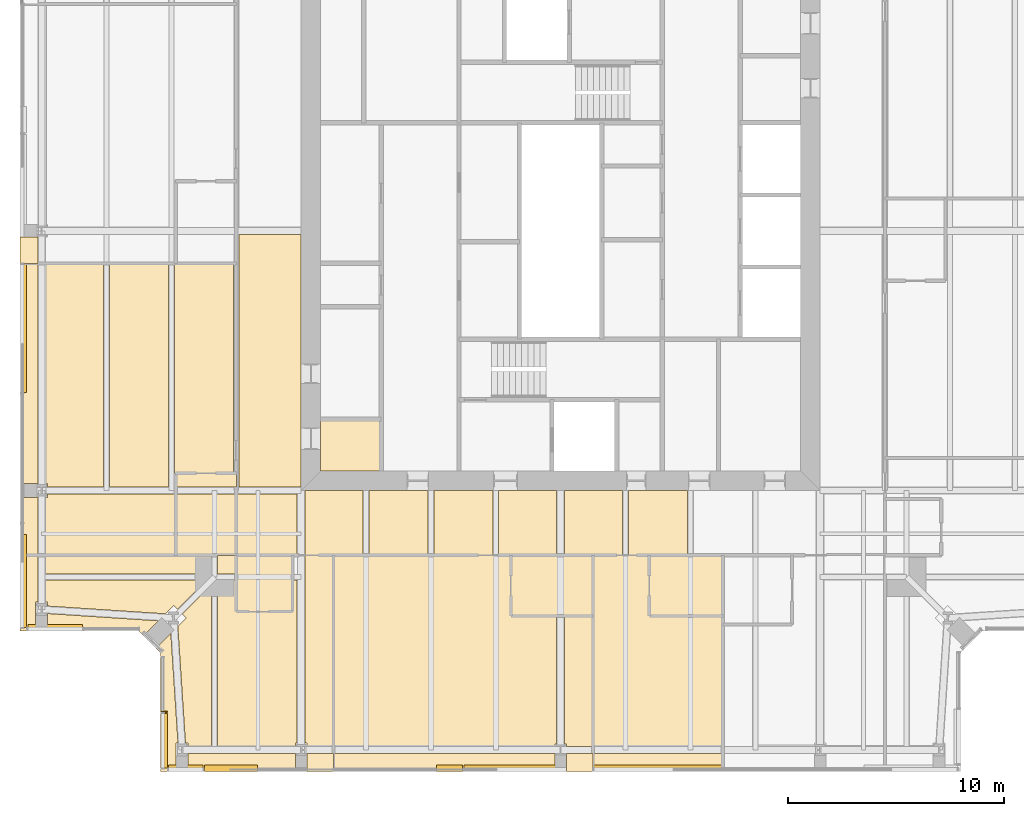
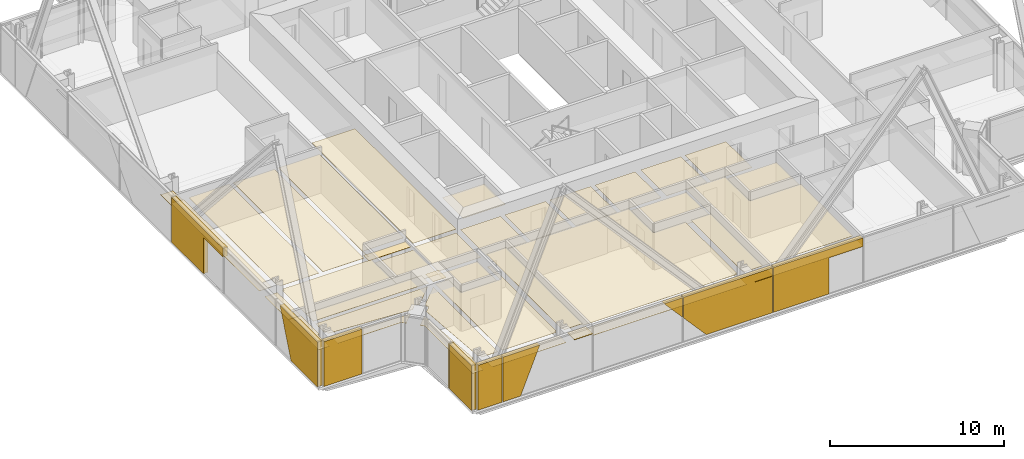
# One storey, part 15 of 19: 48 coverings.
"""IFC4 building model written with IfcOpenShell, lengths in metres."""

from ifc_helpers import new_model, si_unit, direction, frame, origin, place, context, subcontext, project, spatial, polyline, outline, extrude, material, layer, layer_set, type_object, element, save


model = new_model("IFC4")

# Units and contexts
model_context = context("Model", 3, precision=1e-05, world=origin(), true_north=direction((0.0, 1.0)))
body_context = subcontext(model_context, "Body", "Model", "MODEL_VIEW")
ifc_project = project(units=[si_unit("LENGTHUNIT", "METRE"), si_unit("AREAUNIT", "SQUARE_METRE"), si_unit("VOLUMEUNIT", "CUBIC_METRE"), si_unit("PLANEANGLEUNIT", "RADIAN"), si_unit("MASSUNIT", "GRAM", prefix="KILO")], contexts=[model_context])

# Site, building, storey
site_placement = place(None, origin())
site = spatial("IfcSite", under=ifc_project, at=site_placement, CompositionType="ELEMENT")
building_placement = place(site_placement, origin())
building = spatial("IfcBuilding", under=site, at=building_placement, Name="Fenwick Lantern Interchange", CompositionType="ELEMENT")
storey_placement = place(building_placement, frame((0.0, 0.0, 283.199951171875)))
storey = spatial("IfcBuildingStorey", under=building, at=storey_placement, Name="L68", CompositionType="ELEMENT", Elevation=283.199951171875)

# Coverings
ifc_material_1 = material(Name="Granite cladding, warm grey flamed finish, on aluminium carrier frame", Category="masonry")
ifc_layer_1 = layer(ifc_material_1, 0.300048828125)
ifc_layer_set_1 = layer_set([ifc_layer_1], Name="BRACE CASING PANEL 300")
covering_type_1 = type_object("IfcCoveringType", Name="BRACE CASING PANEL 300", PredefinedType="CLADDING", material=ifc_layer_set_1)
covering_1_placement = place(storey_placement, frame((6.60009765625, 0.10009765625, 0.0), z_axis=(0.0, 0.0, 1.0), x_axis=(1.0, 0.0, 0.0)))
element("IfcCovering", 1, at=covering_1_placement, inside=storey, type_object=covering_type_1, Name="Brace casing 01 bay 00a", PredefinedType="CLADDING", context=body_context, shape_type="SweptSolid", body=[
    extrude(outline(polyline([(0.260009765625, 0.0), (1.8701171875, 0.0), (1.8701171875, 3.150146484375), (0.260009765625, 3.150146484375), (0.260009765625, 0.0)])), frame((0.0, 0.2099609375, 0.0), z_axis=(0.0, -1.0, 0.0), x_axis=(1.0, 0.0, 0.0)), (0.0, 0.0, 1.0), 0.300048828125),
])
covering_2_placement = place(storey_placement, frame((6.60009765625, 0.10009765625, 0.0), z_axis=(0.0, 0.0, 1.0), x_axis=(1.0, 0.0, 0.0)))
element("IfcCovering", 2, at=covering_2_placement, inside=storey, type_object=covering_type_1, Name="Brace casing 01 bay 01a", PredefinedType="CLADDING", context=body_context, shape_type="SweptSolid", body=[
    extrude(outline(polyline([(1.929931640625, 0.0), (3.091064453125, 0.0), (4.3759765625, 3.150146484375), (1.929931640625, 3.150146484375), (1.929931640625, 0.0)])), frame((0.0, 0.2099609375, 0.0), z_axis=(0.0, -1.0, 0.0), x_axis=(1.0, 0.0, 0.0)), (0.0, 0.0, 1.0), 0.300048828125),
])
covering_3_placement = place(storey_placement, frame((6.60009765625, 0.10009765625, 1.77685546875), z_axis=(0.0, 0.0, 1.0), x_axis=(1.0, 0.0, 0.0)))
element("IfcCovering", 3, at=covering_3_placement, inside=storey, type_object=covering_type_1, Name="Brace casing 01 bay 02a", PredefinedType="CLADDING", context=body_context, shape_type="SweptSolid", body=[
    extrude(outline(polyline([(13.8701171875, 0.0), (13.8701171875, 1.373291015625), (12.648193359375, 1.373291015625), (13.8701171875, 0.0)])), frame((0.0, 0.2099609375, 0.0), z_axis=(0.0, -1.0, 0.0), x_axis=(1.0, 0.0, 0.0)), (0.0, 0.0, 1.0), 0.300048828125),
])
covering_4_placement = place(storey_placement, frame((6.60009765625, 0.10009765625, 0.0), z_axis=(0.0, 0.0, 1.0), x_axis=(1.0, 0.0, 0.0)))
element("IfcCovering", 4, at=covering_4_placement, inside=storey, type_object=covering_type_1, Name="Brace casing 01 bay 03a", PredefinedType="CLADDING", context=body_context, shape_type="SweptSolid", body=[
    extrude(outline(polyline([(15.451171875, 0.0), (19.8701171875, 0.0), (19.8701171875, 3.150146484375), (13.929931640625, 3.150146484375), (13.929931640625, 1.70947265625), (15.451171875, 0.0)])), frame((0.0, 0.2099609375, 0.0), z_axis=(0.0, -1.0, 0.0), x_axis=(1.0, 0.0, 0.0)), (0.0, 0.0, 1.0), 0.300048828125),
])
for number, where, z_axis, x_axis, name in (
    (5, (6.60009765625, 0.10009765625, 0.0), (0.0, 0.0, 1.0), (1.0, 0.0, 0.0), "Brace casing 01 bay 04a"),
    (6, (0.10009765625, 43.39990234375, 0.0), (0.0, 0.0, 1.0), (0.0, -1.0, 0.0), "Brace casing 13 bay 04a"),
):
    element("IfcCovering", number, at=place(storey_placement, frame(where, z_axis=z_axis, x_axis=x_axis)), inside=storey, type_object=covering_type_1, Name=name, PredefinedType="CLADDING", context=body_context, shape_type="SweptSolid", body=[
        extrude(outline(polyline([(19.929931640625, 0.0), (23.608642578125, 0.0), (23.608642578125, 2.539794921875), (25.8701171875, 2.539794921875), (25.8701171875, 3.150146484375), (19.929931640625, 3.150146484375), (19.929931640625, 0.0)])), frame((0.0, 0.2099609375, 0.0), z_axis=(0.0, -1.0, 0.0), x_axis=(1.0, 0.0, 0.0)), (0.0, 0.0, 1.0), 0.300048828125),
    ])
covering_5_placement = place(storey_placement, frame((0.10009765625, 43.39990234375, 0.0), z_axis=(0.0, 0.0, 1.0), x_axis=(0.0, -1.0, 0.0)))
element("IfcCovering", 7, at=covering_5_placement, inside=storey, type_object=covering_type_1, Name="Brace casing 13 bay 06a", PredefinedType="CLADDING", context=body_context, shape_type="SweptSolid", body=[
    extrude(outline(polyline([(33.708984375, 0.0), (36.739990234375, 0.0), (36.739990234375, 3.150146484375), (32.424072265625, 3.150146484375), (33.708984375, 0.0)])), frame((0.0, 0.2099609375, 0.0), z_axis=(0.0, -1.0, 0.0), x_axis=(1.0, 0.0, 0.0)), (0.0, 0.0, 1.0), 0.300048828125),
])
covering_6_placement = place(storey_placement, frame((0.10009765625, 6.60009765625, 0.0), z_axis=(0.0, 0.0, 1.0), x_axis=(1.0, 0.0, 0.0)))
element("IfcCovering", 8, at=covering_6_placement, inside=storey, type_object=covering_type_1, Name="Brace casing 14 bay 00a", PredefinedType="CLADDING", context=body_context, shape_type="SweptSolid", body=[
    extrude(outline(polyline([(0.260009765625, 0.0), (2.790771484375, 0.0), (2.790771484375, 3.150146484375), (0.260009765625, 3.150146484375), (0.260009765625, 0.0)])), frame((0.0, 0.2099609375, 0.0), z_axis=(0.0, -1.0, 0.0), x_axis=(1.0, 0.0, 0.0)), (0.0, 0.0, 1.0), 0.300048828125),
])
covering_7_placement = place(storey_placement, frame((6.60009765625, 5.54150390625, 0.0), z_axis=(0.0, 0.0, 1.0), x_axis=(0.0, -1.0, 0.0)))
element("IfcCovering", 9, at=covering_7_placement, inside=storey, type_object=covering_type_1, Name="Brace casing 16 bay 00a", PredefinedType="CLADDING", context=body_context, shape_type="SweptSolid", body=[
    extrude(outline(polyline([(2.741455078125, 0.0), (2.790771484375, 0.0), (2.790771484375, 3.150146484375), (2.741455078125, 3.150146484375), (2.741455078125, 0.0)])), frame((0.0, 0.2099609375, 0.0), z_axis=(0.0, -1.0, 0.0), x_axis=(1.0, 0.0, 0.0)), (0.0, 0.0, 1.0), 0.300048828125),
])
covering_8_placement = place(storey_placement, frame((6.60009765625, 5.54150390625, 0.0), z_axis=(0.0, 0.0, 1.0), x_axis=(0.0, -1.0, 0.0)))
element("IfcCovering", 10, at=covering_8_placement, inside=storey, type_object=covering_type_1, Name="Brace casing 16 bay 01a", PredefinedType="CLADDING", context=body_context, shape_type="SweptSolid", body=[
    extrude(outline(polyline([(2.850830078125, 0.0), (5.38134765625, 0.0), (5.38134765625, 3.150146484375), (2.850830078125, 3.150146484375), (2.850830078125, 0.0)])), frame((0.0, 0.2099609375, 0.0), z_axis=(0.0, -1.0, 0.0), x_axis=(1.0, 0.0, 0.0)), (0.0, 0.0, 1.0), 0.300048828125),
])
ifc_material_2 = material(Name="Moisture resistant gypsum board on suspended frame, painted")
ifc_layer_2 = layer(ifc_material_2, 0.014892578125)
ifc_layer_set_2 = layer_set([ifc_layer_2], Name="MOISTURE RESISTANT CEILING 15")
covering_type_2 = type_object("IfcCoveringType", Name="MOISTURE RESISTANT CEILING 15", PredefinedType="CEILING", material=ifc_layer_set_2)
covering_9_placement = place(storey_placement, frame((0.0, 0.0, 2.60009765625)))
element("IfcCovering", 11, at=covering_9_placement, inside=storey, type_object=covering_type_2, Name="Accessible WC ceiling", PredefinedType="CEILING", context=body_context, shape_type="SweptSolid", body=[
    extrude(outline(polyline([(13.89990234375, 13.89990234375), (16.699951171875, 13.89990234375), (16.699951171875, 16.300048828125), (13.89990234375, 16.300048828125), (13.89990234375, 13.89990234375)])), origin(), (0.0, 0.0, 1.0), 0.014892578125),
])
covering_10_placement = place(storey_placement, frame((0.0, 0.0, 2.400146484375)))
element("IfcCovering", 12, at=covering_10_placement, inside=storey, type_object=covering_type_2, Name="En-suite 6801 ceiling", PredefinedType="CEILING", context=body_context, shape_type="SweptSolid", body=[
    extrude(outline(polyline([(10.0, 7.39990234375), (12.60009765625, 7.39990234375), (12.60009765625, 10.0), (10.0, 10.0), (10.0, 7.39990234375)])), origin(), (0.0, 0.0, 1.0), 0.014892578125),
])
covering_11_placement = place(storey_placement, frame((0.0, 0.0, 2.400146484375)))
element("IfcCovering", 13, at=covering_11_placement, inside=storey, type_object=covering_type_2, Name="En-suite 6802 ceiling", PredefinedType="CEILING", context=body_context, shape_type="SweptSolid", body=[
    extrude(outline(polyline([(22.699951171875, 7.199951171875), (26.5, 7.199951171875), (26.5, 10.0), (22.699951171875, 10.0), (22.699951171875, 7.199951171875)])), origin(), (0.0, 0.0, 1.0), 0.014892578125),
])
covering_12_placement = place(storey_placement, frame((0.0, 0.0, 2.400146484375)))
element("IfcCovering", 14, at=covering_12_placement, inside=storey, type_object=covering_type_2, Name="En-suite 6803 ceiling", PredefinedType="CEILING", context=body_context, shape_type="SweptSolid", body=[
    extrude(outline(polyline([(29.10009765625, 7.199951171875), (32.5, 7.199951171875), (32.5, 10.0), (29.10009765625, 10.0), (29.10009765625, 7.199951171875)])), origin(), (0.0, 0.0, 1.0), 0.014892578125),
])
covering_13_placement = place(storey_placement, frame((0.0, 0.0, 2.400146484375)))
element("IfcCovering", 15, at=covering_13_placement, inside=storey, type_object=covering_type_2, Name="En-suite 6813 ceiling", PredefinedType="CEILING", context=body_context, shape_type="SweptSolid", body=[
    extrude(outline(polyline([(10.0, 10.0), (10.0, 12.833984375), (7.199951171875, 12.833984375), (7.199951171875, 10.0), (10.0, 10.0)])), origin(), (0.0, 0.0, 1.0), 0.014892578125),
])
covering_14_placement = place(storey_placement, frame((0.0, 0.0, 2.400146484375)))
element("IfcCovering", 16, at=covering_14_placement, inside=storey, type_object=covering_type_2, Name="En-suite 6813 ceiling", PredefinedType="CEILING", context=body_context, shape_type="SweptSolid", body=[
    extrude(outline(polyline([(7.199951171875, 13.800048828125), (7.199951171875, 13.166015625), (10.0, 13.166015625), (10.0, 13.800048828125), (7.199951171875, 13.800048828125)])), origin(), (0.0, 0.0, 1.0), 0.014892578125),
])
ifc_material_3 = material(Name="Gypsum plasterboard on suspended frame, painted")
ifc_layer_3 = layer(ifc_material_3, 0.014892578125)
ifc_layer_set_3 = layer_set([ifc_layer_3], Name="PLASTERBOARD CEILING 15")
covering_type_3 = type_object("IfcCoveringType", Name="PLASTERBOARD CEILING 15", PredefinedType="CEILING", material=ifc_layer_set_3)
covering_15_placement = place(storey_placement, frame((0.0, 0.0, 2.60009765625)))
element("IfcCovering", 17, at=covering_15_placement, inside=storey, type_object=covering_type_3, Name="Corridor ceiling", PredefinedType="CEILING", context=body_context, shape_type="SweptSolid", body=[
    extrude(outline(polyline([(13.0, 13.166015625), (13.0, 24.824951171875), (10.134521484375, 24.824951171875), (10.134521484375, 13.166015625), (13.0, 13.166015625)])), origin(), (0.0, 0.0, 1.0), 0.014892578125),
])
covering_16_placement = place(storey_placement, frame((0.0, 0.0, 2.60009765625)))
element("IfcCovering", 18, at=covering_16_placement, inside=storey, type_object=covering_type_3, Name="Corridor ceiling", PredefinedType="CEILING", context=body_context, shape_type="SweptSolid", body=[
    extrude(outline(polyline([(16.134521484375, 10.0), (18.865478515625, 10.0), (18.865478515625, 13.0), (16.134521484375, 13.0), (16.134521484375, 10.0)])), origin(), (0.0, 0.0, 1.0), 0.014892578125),
])
covering_17_placement = place(storey_placement, frame((0.0, 0.0, 2.60009765625)))
element("IfcCovering", 19, at=covering_17_placement, inside=storey, type_object=covering_type_3, Name="Corridor ceiling", PredefinedType="CEILING", context=body_context, shape_type="SweptSolid", body=[
    extrude(outline(polyline([(19.134521484375, 10.0), (21.865478515625, 10.0), (21.865478515625, 13.0), (19.134521484375, 13.0), (19.134521484375, 10.0)])), origin(), (0.0, 0.0, 1.0), 0.014892578125),
])
covering_18_placement = place(storey_placement, frame((0.0, 0.0, 2.60009765625)))
element("IfcCovering", 20, at=covering_18_placement, inside=storey, type_object=covering_type_3, Name="Corridor ceiling", PredefinedType="CEILING", context=body_context, shape_type="SweptSolid", body=[
    extrude(outline(polyline([(28.134521484375, 10.0), (30.865478515625, 10.0), (30.865478515625, 13.0), (28.134521484375, 13.0), (28.134521484375, 10.0)])), origin(), (0.0, 0.0, 1.0), 0.014892578125),
])
covering_19_placement = place(storey_placement, frame((0.0, 0.0, 2.60009765625)))
element("IfcCovering", 21, at=covering_19_placement, inside=storey, type_object=covering_type_3, Name="Corridor ceiling", PredefinedType="CEILING", context=body_context, shape_type="SweptSolid", body=[
    extrude(outline(polyline([(13.183837890625, 10.0), (15.865478515625, 10.0), (15.865478515625, 13.0), (13.183837890625, 13.0), (13.183837890625, 10.0)])), origin(), (0.0, 0.0, 1.0), 0.014892578125),
])
covering_20_placement = place(storey_placement, frame((0.0, 0.0, 2.60009765625)))
element("IfcCovering", 22, at=covering_20_placement, inside=storey, type_object=covering_type_3, Name="Corridor ceiling", PredefinedType="CEILING", context=body_context, shape_type="SweptSolid", body=[
    extrude(outline(polyline([(22.134521484375, 10.0), (24.816162109375, 10.0), (24.816162109375, 13.0), (22.134521484375, 13.0), (22.134521484375, 10.0)])), origin(), (0.0, 0.0, 1.0), 0.014892578125),
])
covering_21_placement = place(storey_placement, frame((0.0, 0.0, 2.60009765625)))
element("IfcCovering", 23, at=covering_21_placement, inside=storey, type_object=covering_type_3, Name="Corridor ceiling", PredefinedType="CEILING", context=body_context, shape_type="SweptSolid", body=[
    extrude(outline(polyline([(25.183837890625, 10.0), (27.865478515625, 10.0), (27.865478515625, 13.0), (25.183837890625, 13.0), (25.183837890625, 10.0)])), origin(), (0.0, 0.0, 1.0), 0.014892578125),
])
covering_22_placement = place(storey_placement, frame((0.0, 0.0, 2.60009765625)))
element("IfcCovering", 24, at=covering_22_placement, inside=storey, type_object=covering_type_3, Name="Corridor ceiling", PredefinedType="CEILING", context=body_context, shape_type="SweptSolid", body=[
    extrude(outline(polyline([(10.0, 10.0), (12.816162109375, 10.0), (12.816162109375, 12.833984375), (10.0, 12.833984375), (10.0, 10.0)])), origin(), (0.0, 0.0, 1.0), 0.014892578125),
])
covering_23_placement = place(storey_placement, frame((0.0, 0.0, 2.699951171875)))
element("IfcCovering", 25, at=covering_23_placement, inside=storey, type_object=covering_type_3, Name="Guest suite 6801 ceiling", PredefinedType="CEILING", context=body_context, shape_type="SweptSolid", body=[
    extrude(outline(polyline([(10.0, 7.39990234375), (10.0, 8.865478515625), (9.134521484375, 8.865478515625), (9.134521484375, 1.17236328125), (12.72900390625, 1.17236328125), (12.72900390625, 1.3154296875), (12.816162109375, 1.3154296875), (12.816162109375, 8.865478515625), (12.60009765625, 8.865478515625), (12.60009765625, 7.39990234375), (10.0, 7.39990234375)])), origin(), (0.0, 0.0, 1.0), 0.01513671875),
])
covering_24_placement = place(storey_placement, frame((0.0, 0.0, 2.699951171875)))
element("IfcCovering", 26, at=covering_24_placement, inside=storey, type_object=covering_type_3, Name="Guest suite 6801 ceiling", PredefinedType="CEILING", context=body_context, shape_type="SweptSolid", body=[
    extrude(outline(polyline([(14.5, 10.0), (13.183837890625, 10.0), (13.183837890625, 1.3154296875), (13.27099609375, 1.3154296875), (13.27099609375, 1.17236328125), (14.5, 1.17236328125), (14.5, 10.0)])), origin(), (0.0, 0.0, 1.0), 0.01513671875),
])
covering_25_placement = place(storey_placement, frame((0.0, 0.0, 2.699951171875)))
element("IfcCovering", 27, at=covering_25_placement, inside=storey, type_object=covering_type_3, Name="Guest suite 6801 ceiling", PredefinedType="CEILING", context=body_context, shape_type="SweptSolid", body=[
    extrude(outline(polyline([(7.10009765625, 7.6826171875), (7.28271484375, 7.499755859375), (8.648681640625, 8.865478515625), (1.17236328125, 8.865478515625), (1.17236328125, 7.83447265625), (1.27734375, 7.83447265625), (1.27734375, 7.654541015625), (6.715576171875, 7.298095703125), (7.10009765625, 7.6826171875)])), origin(), (0.0, 0.0, 1.0), 0.01513671875),
])
covering_26_placement = place(storey_placement, frame((0.0, 0.0, 2.699951171875)))
element("IfcCovering", 28, at=covering_26_placement, inside=storey, type_object=covering_type_3, Name="Guest suite 6801 ceiling", PredefinedType="CEILING", context=body_context, shape_type="SweptSolid", body=[
    extrude(outline(polyline([(7.77734375, 1.33447265625), (7.77734375, 1.17236328125), (8.865478515625, 1.17236328125), (8.865478515625, 8.648681640625), (7.499755859375, 7.28271484375), (7.6826171875, 7.10009765625), (7.298095703125, 6.715576171875), (7.65087890625, 1.33447265625), (7.77734375, 1.33447265625)])), origin(), (0.0, 0.0, 1.0), 0.01513671875),
])
covering_27_placement = place(storey_placement, frame((0.0, 0.0, 2.699951171875)))
element("IfcCovering", 29, at=covering_27_placement, inside=storey, type_object=covering_type_3, Name="Guest suite 6801 ceiling", PredefinedType="CEILING", context=body_context, shape_type="SweptSolid", body=[
    extrude(outline(polyline([(8.865478515625, 10.0), (1.17236328125, 10.0), (1.17236328125, 9.134521484375), (8.865478515625, 9.134521484375), (8.865478515625, 10.0)])), origin(), (0.0, 0.0, 1.0), 0.01513671875),
])
covering_28_placement = place(storey_placement, frame((0.0, 0.0, 2.699951171875)))
element("IfcCovering", 30, at=covering_28_placement, inside=storey, type_object=covering_type_3, Name="Guest suite 6801 ceiling", PredefinedType="CEILING", context=body_context, shape_type="SweptSolid", body=[
    extrude(outline(polyline([(7.22265625, 1.33447265625), (7.30517578125, 1.33447265625), (6.9736328125, 6.39111328125), (6.291259765625, 5.708740234375), (6.5, 5.5), (6.5, 0.0), (7.22265625, 0.0), (7.22265625, 1.33447265625)])), origin(), (0.0, 0.0, 1.0), 0.01513671875),
])
covering_29_placement = place(storey_placement, frame((0.0, 0.0, 2.699951171875)))
element("IfcCovering", 31, at=covering_29_placement, inside=storey, type_object=covering_type_3, Name="Guest suite 6801 ceiling", PredefinedType="CEILING", context=body_context, shape_type="SweptSolid", body=[
    extrude(outline(polyline([(12.72900390625, 0.0), (12.72900390625, 0.82763671875), (7.77734375, 0.82763671875), (7.77734375, 0.0), (12.72900390625, 0.0)])), origin(), (0.0, 0.0, 1.0), 0.01513671875),
])
covering_30_placement = place(storey_placement, frame((0.0, 0.0, 2.699951171875)))
element("IfcCovering", 32, at=covering_30_placement, inside=storey, type_object=covering_type_3, Name="Guest suite 6801 ceiling", PredefinedType="CEILING", context=body_context, shape_type="SweptSolid", body=[
    extrude(outline(polyline([(5.708740234375, 6.291259765625), (6.39111328125, 6.9736328125), (1.27734375, 7.30908203125), (1.27734375, 6.5), (5.5, 6.5), (5.708740234375, 6.291259765625)])), origin(), (0.0, 0.0, 1.0), 0.01513671875),
])
covering_31_placement = place(storey_placement, frame((0.0, 0.0, 2.699951171875)))
element("IfcCovering", 33, at=covering_31_placement, inside=storey, type_object=covering_type_3, Name="Guest suite 6801 ceiling", PredefinedType="CEILING", context=body_context, shape_type="SweptSolid", body=[
    extrude(outline(polyline([(0.72265625, 7.83447265625), (0.82763671875, 7.83447265625), (0.82763671875, 10.0), (0.0, 10.0), (0.0, 6.5), (0.72265625, 6.5), (0.72265625, 7.83447265625)])), origin(), (0.0, 0.0, 1.0), 0.01513671875),
])
covering_32_placement = place(storey_placement, frame((0.0, 0.0, 2.699951171875)))
element("IfcCovering", 34, at=covering_32_placement, inside=storey, type_object=covering_type_3, Name="Guest suite 6801 ceiling", PredefinedType="CEILING", context=body_context, shape_type="SweptSolid", body=[
    extrude(outline(polyline([(14.5, 0.0), (14.5, 0.82763671875), (13.27099609375, 0.82763671875), (13.27099609375, 0.0), (14.5, 0.0)])), origin(), (0.0, 0.0, 1.0), 0.01513671875),
])
covering_33_placement = place(storey_placement, frame((0.0, 0.0, 2.699951171875)))
element("IfcCovering", 35, at=covering_33_placement, inside=storey, type_object=covering_type_3, Name="Guest suite 6801 ceiling", PredefinedType="CEILING", context=body_context, shape_type="SweptSolid", body=[
    extrude(outline(polyline([(10.0, 9.134521484375), (10.0, 10.0), (9.134521484375, 10.0), (9.134521484375, 9.134521484375), (10.0, 9.134521484375)])), origin(), (0.0, 0.0, 1.0), 0.01513671875),
])
covering_34_placement = place(storey_placement, frame((0.0, 0.0, 2.572998046875)))
element("IfcCovering", 36, at=covering_34_placement, inside=storey, type_object=covering_type_3, Name="Guest suite 6802 ceiling", PredefinedType="CEILING", context=body_context, shape_type="SweptSolid", body=[
    extrude(outline(polyline([(24.73779296875, 1.28759765625), (24.816162109375, 1.28759765625), (24.816162109375, 7.199951171875), (22.699951171875, 7.199951171875), (22.699951171875, 10.0), (14.5, 10.0), (14.5, 1.17236328125), (24.73779296875, 1.17236328125), (24.73779296875, 1.28759765625)])), origin(), (0.0, 0.0, 1.0), 0.014892578125),
])
covering_35_placement = place(storey_placement, frame((0.0, 0.0, 2.572998046875)))
element("IfcCovering", 37, at=covering_35_placement, inside=storey, type_object=covering_type_3, Name="Guest suite 6802 ceiling", PredefinedType="CEILING", context=body_context, shape_type="SweptSolid", body=[
    extrude(outline(polyline([(24.73779296875, 0.0), (24.73779296875, 0.82763671875), (14.5, 0.82763671875), (14.5, 0.0), (24.73779296875, 0.0)])), origin(), (0.0, 0.0, 1.0), 0.014892578125),
])
covering_36_placement = place(storey_placement, frame((0.0, 0.0, 2.572998046875)))
element("IfcCovering", 38, at=covering_36_placement, inside=storey, type_object=covering_type_3, Name="Guest suite 6802 ceiling", PredefinedType="CEILING", context=body_context, shape_type="SweptSolid", body=[
    extrude(outline(polyline([(25.26220703125, 1.28759765625), (25.26220703125, 1.17236328125), (26.5, 1.17236328125), (26.5, 7.199951171875), (25.183837890625, 7.199951171875), (25.183837890625, 1.28759765625), (25.26220703125, 1.28759765625)])), origin(), (0.0, 0.0, 1.0), 0.014892578125),
])
covering_37_placement = place(storey_placement, frame((0.0, 0.0, 2.572998046875)))
element("IfcCovering", 39, at=covering_37_placement, inside=storey, type_object=covering_type_3, Name="Guest suite 6802 ceiling", PredefinedType="CEILING", context=body_context, shape_type="SweptSolid", body=[
    extrude(outline(polyline([(25.26220703125, 0.82763671875), (25.26220703125, 0.0), (26.5, 0.0), (26.5, 0.82763671875), (25.26220703125, 0.82763671875)])), origin(), (0.0, 0.0, 1.0), 0.014892578125),
])
covering_38_placement = place(storey_placement, frame((0.0, 0.0, 2.572998046875)))
element("IfcCovering", 40, at=covering_38_placement, inside=storey, type_object=covering_type_3, Name="Guest room 6803 ceiling", PredefinedType="CEILING", context=body_context, shape_type="SweptSolid", body=[
    extrude(outline(polyline([(26.5, 10.0), (26.5, 1.17236328125), (32.5, 1.17236328125), (32.5, 7.199951171875), (29.10009765625, 7.199951171875), (29.10009765625, 10.0), (26.5, 10.0)])), origin(), (0.0, 0.0, 1.0), 0.014892578125),
])
covering_39_placement = place(storey_placement, frame((0.0, 0.0, 2.572998046875)))
element("IfcCovering", 41, at=covering_39_placement, inside=storey, type_object=covering_type_3, Name="Guest room 6803 ceiling", PredefinedType="CEILING", context=body_context, shape_type="SweptSolid", body=[
    extrude(outline(polyline([(26.5, 0.0), (32.5, 0.0), (32.5, 0.82763671875), (26.5, 0.82763671875), (26.5, 0.0)])), origin(), (0.0, 0.0, 1.0), 0.014892578125),
])
covering_40_placement = place(storey_placement, frame((0.0, 0.0, 2.572998046875)))
element("IfcCovering", 42, at=covering_40_placement, inside=storey, type_object=covering_type_3, Name="Guest suite 6812 ceiling", PredefinedType="CEILING", context=body_context, shape_type="SweptSolid", body=[
    extrude(outline(polyline([(0.82763671875, 24.71240234375), (0.0, 24.71240234375), (0.0, 23.5), (0.82763671875, 23.5), (0.82763671875, 24.71240234375)])), origin(), (0.0, 0.0, 1.0), 0.014892578125),
])
covering_41_placement = place(storey_placement, frame((0.0, 0.0, 2.699951171875)))
element("IfcCovering", 43, at=covering_41_placement, inside=storey, type_object=covering_type_3, Name="Guest suite 6813 ceiling", PredefinedType="CEILING", context=body_context, shape_type="SweptSolid", body=[
    extrude(outline(polyline([(6.865478515625, 23.5), (4.134521484375, 23.5), (4.134521484375, 13.166015625), (6.865478515625, 13.166015625), (6.865478515625, 23.5)])), origin(), (0.0, 0.0, 1.0), 0.01513671875),
])
covering_42_placement = place(storey_placement, frame((0.0, 0.0, 2.699951171875)))
element("IfcCovering", 44, at=covering_42_placement, inside=storey, type_object=covering_type_3, Name="Guest suite 6813 ceiling", PredefinedType="CEILING", context=body_context, shape_type="SweptSolid", body=[
    extrude(outline(polyline([(1.27099609375, 13.3154296875), (1.27099609375, 13.166015625), (3.865478515625, 13.166015625), (3.865478515625, 23.5), (1.17236328125, 23.5), (1.17236328125, 13.3154296875), (1.27099609375, 13.3154296875)])), origin(), (0.0, 0.0, 1.0), 0.01513671875),
])
covering_43_placement = place(storey_placement, frame((0.0, 0.0, 2.699951171875)))
element("IfcCovering", 45, at=covering_43_placement, inside=storey, type_object=covering_type_3, Name="Guest suite 6813 ceiling", PredefinedType="CEILING", context=body_context, shape_type="SweptSolid", body=[
    extrude(outline(polyline([(9.865478515625, 23.5), (7.134521484375, 23.5), (7.134521484375, 13.166015625), (7.199951171875, 13.166015625), (7.199951171875, 13.800048828125), (9.865478515625, 13.800048828125), (9.865478515625, 23.5)])), origin(), (0.0, 0.0, 1.0), 0.01513671875),
])
covering_44_placement = place(storey_placement, frame((0.0, 0.0, 2.699951171875)))
element("IfcCovering", 46, at=covering_44_placement, inside=storey, type_object=covering_type_3, Name="Guest suite 6813 ceiling", PredefinedType="CEILING", context=body_context, shape_type="SweptSolid", body=[
    extrude(outline(polyline([(1.27099609375, 12.6845703125), (1.17236328125, 12.6845703125), (1.17236328125, 10.0), (7.199951171875, 10.0), (7.199951171875, 12.833984375), (1.27099609375, 12.833984375), (1.27099609375, 12.6845703125)])), origin(), (0.0, 0.0, 1.0), 0.01513671875),
])
covering_45_placement = place(storey_placement, frame((0.0, 0.0, 2.699951171875)))
element("IfcCovering", 47, at=covering_45_placement, inside=storey, type_object=covering_type_3, Name="Guest suite 6813 ceiling", PredefinedType="CEILING", context=body_context, shape_type="SweptSolid", body=[
    extrude(outline(polyline([(0.0, 13.3154296875), (0.82763671875, 13.3154296875), (0.82763671875, 23.5), (0.0, 23.5), (0.0, 13.3154296875)])), origin(), (0.0, 0.0, 1.0), 0.01513671875),
])
covering_46_placement = place(storey_placement, frame((0.0, 0.0, 2.699951171875)))
element("IfcCovering", 48, at=covering_46_placement, inside=storey, type_object=covering_type_3, Name="Guest suite 6813 ceiling", PredefinedType="CEILING", context=body_context, shape_type="SweptSolid", body=[
    extrude(outline(polyline([(0.82763671875, 12.6845703125), (0.0, 12.6845703125), (0.0, 10.0), (0.82763671875, 10.0), (0.82763671875, 12.6845703125)])), origin(), (0.0, 0.0, 1.0), 0.01513671875),
])

save(model, "model.ifc")
